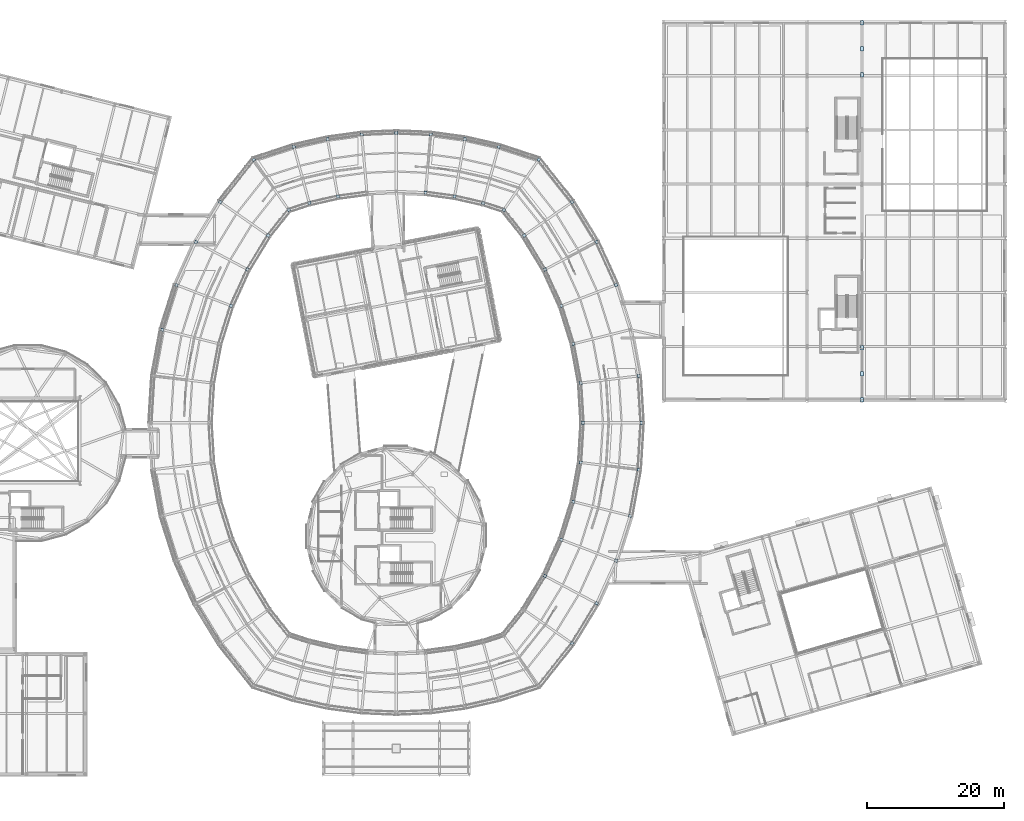
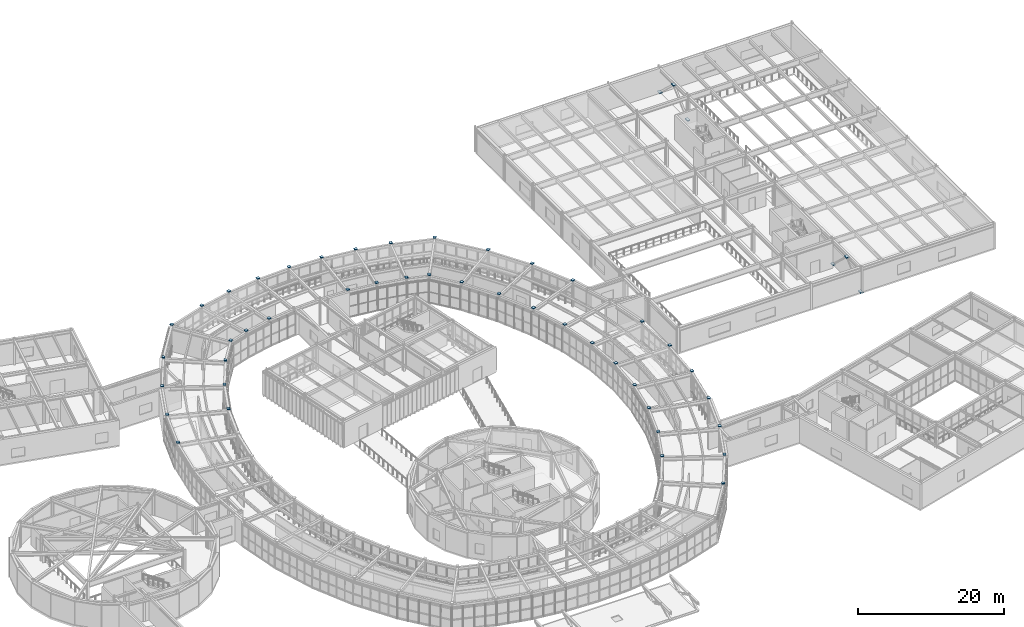
# One storey, part 73 of 103: 49 plates.
"""IFC4 building model written with IfcOpenShell, lengths in metres."""

from ifc_helpers import new_model, si_unit, direction, frame, origin, origin_2d, place, context, subcontext, project, spatial, rectangle, extrude, material, layer, layer_set, type_object, element, save


model = new_model("IFC4")

# Units and contexts
model_context = context("Model", 3, precision=1e-05, world=origin(), true_north=direction((0.0, 1.0)))
body_context = subcontext(model_context, "Body", "Model", "MODEL_VIEW")
ifc_project = project(units=[si_unit("LENGTHUNIT", "METRE"), si_unit("AREAUNIT", "SQUARE_METRE"), si_unit("VOLUMEUNIT", "CUBIC_METRE"), si_unit("PLANEANGLEUNIT", "RADIAN"), si_unit("MASSUNIT", "GRAM", prefix="KILO")], contexts=[model_context])

# Site, building, storey
site_placement = place(None, origin())
site = spatial("IfcSite", under=ifc_project, at=site_placement, CompositionType="ELEMENT")
building_placement = place(site_placement, origin())
building = spatial("IfcBuilding", under=site, at=building_placement, Name="Varnklinge Art Gallery", CompositionType="ELEMENT")
storey_placement = place(building_placement, frame((0.0, 0.0, 5.10009765625)))
storey = spatial("IfcBuildingStorey", under=building, at=storey_placement, Name="L01", CompositionType="ELEMENT", Elevation=5.10009765625)

# Plates
ifc_material = material(Name="Steel S355", Category="steel")
ifc_layer = layer(ifc_material, 0.159912109375)
ifc_layer_set = layer_set([ifc_layer], Name="Steel S355")
plate_type = type_object("IfcPlateType", Name="PLT-GP2", PredefinedType="USERDEFINED", material=ifc_layer_set)
for number, where, z_axis, x_axis, name in (
    (1, (101.14990234375, 22.8251953125, 4.31982421875), (0.0, 0.0, 1.0), (-0.820351542489, 0.571859551582, 0.0), "L01 Hollow Column End Cap Plate V2CO-02"),
    (2, (104.71630859375, 28.6689453125, 4.31982421875), (0.0, 0.0, 1.0), (-0.883683947469, 0.468084053333, 0.0), "L01 Hollow Column End Cap Plate V2CO-03"),
    (3, (97.189697265625, 32.655517578125, 4.31982421875), (0.0, 0.0, 1.0), (-0.883683947469, 0.468084053333, 0.0), "L01 Hollow Column End Cap Plate V2CI-03"),
    (4, (107.54638671875, 34.90283203125, 4.31982421875), (0.0, 0.0, 1.0), (-0.934017558691, 0.357227098715, 0.0), "L01 Hollow Column End Cap Plate V2CO-04"),
    (5, (99.59130859375, 37.9453125, 4.31982421875), (0.0, 0.0, 1.0), (-0.934017558691, 0.357227098715, 0.0), "L01 Hollow Column End Cap Plate V2CI-04"),
    (6, (109.598388671875, 41.43408203125, 4.31982421875), (0.0, 0.0, 1.0), (-0.970506473469, 0.241075060833, 0.0), "L01 Hollow Column End Cap Plate V2CO-05"),
    (7, (101.332763671875, 43.488037109375, 4.31982421875), (0.0, 0.0, 1.0), (-0.970506473469, 0.241075060833, 0.0), "L01 Hollow Column End Cap Plate V2CI-05"),
    (8, (110.842041015625, 48.16650390625, 4.31982421875), (0.0, 0.0, 1.0), (-0.992588631597, 0.121522872021, 0.0), "L01 Hollow Column End Cap Plate V2CO-06"),
    (9, (102.387939453125, 49.201171875, 4.31982421875), (0.0, 0.0, 1.0), (-0.992588631597, 0.121522872021, 0.0), "L01 Hollow Column End Cap Plate V2CI-06"),
    (10, (111.258544921875, 55.0, 4.31982421875), (0.0, 0.0, 1.0), (-1.0, 0.0, 0.0), "L01 Hollow Column End Cap Plate V2CO-07"),
    (11, (102.741455078125, 55.0, 4.31982421875), (0.0, 0.0, 1.0), (-1.0, 0.0, 0.0), "L01 Hollow Column End Cap Plate V2CI-07"),
    (12, (110.842041015625, 61.83349609375, 4.31982421875), (0.0, 0.0, 1.0), (-0.992588631597, -0.121522872021, 0.0), "L01 Hollow Column End Cap Plate V2CO-08"),
    (13, (102.387939453125, 60.798828125, 4.31982421875), (0.0, 0.0, 1.0), (-0.992588631597, -0.121522872021, 0.0), "L01 Hollow Column End Cap Plate V2CI-08"),
    (14, (101.332763671875, 66.511962890625, 4.31982421875), (0.0, 0.0, 1.0), (-0.970506473469, -0.241075060833, 0.0), "L01 Hollow Column End Cap Plate V2CI-09"),
    (15, (107.54638671875, 75.09716796875, 4.31982421875), (0.0, 0.0, 1.0), (-0.934017558691, -0.357227098715, 0.0), "L01 Hollow Column End Cap Plate V2CO-10"),
    (16, (99.59130859375, 72.0546875, 4.31982421875), (0.0, 0.0, 1.0), (-0.934017558691, -0.357227098715, 0.0), "L01 Hollow Column End Cap Plate V2CI-10"),
    (17, (104.71630859375, 81.3310546875, 4.31982421875), (0.0, 0.0, 1.0), (-0.883683947469, -0.468084053333, 0.0), "L01 Hollow Column End Cap Plate V2CO-11"),
    (18, (97.189697265625, 77.344482421875, 4.31982421875), (0.0, 0.0, 1.0), (-0.883683947469, -0.468084053333, 0.0), "L01 Hollow Column End Cap Plate V2CI-11"),
    (19, (101.14990234375, 87.1748046875, 4.31982421875), (0.0, 0.0, 1.0), (-0.820351542489, -0.571859551582, 0.0), "L01 Hollow Column End Cap Plate V2CO-12"),
    (20, (94.1630859375, 82.3037109375, 4.31982421875), (0.0, 0.0, 1.0), (-0.820351542489, -0.571859551582, 0.0), "L01 Hollow Column End Cap Plate V2CI-12"),
    (21, (96.27099609375, 93.35986328125, 4.31982421875), (0.0, 0.0, 1.0), (-0.570570241419, -0.821248804935, 0.0), "L01 Hollow Column End Cap Plate V2CO-13"),
    (22, (91.185791015625, 86.041015625, 4.31982421875), (0.0, 0.0, 1.0), (-0.570570241419, -0.821248804935, 0.0), "L01 Hollow Column End Cap Plate V2CI-13"),
    (23, (90.4296875, 95.2373046875, 4.31982421875), (0.0, 0.0, 1.0), (-0.265387847052, -0.964141737836, 0.0), "L01 Hollow Column End Cap Plate V2CO-14"),
    (24, (88.17138671875, 87.033203125, 4.31982421875), (0.0, 0.0, 1.0), (-0.265387847052, -0.964141737836, 0.0), "L01 Hollow Column End Cap Plate V2CI-14"),
    (25, (85.520263671875, 96.35498046875, 4.31982421875), (0.0, 0.0, 1.0), (-0.178115290264, -0.984009625651, 0.0), "L01 Hollow Column End Cap Plate V2CO-15"),
    (26, (84.00439453125, 87.981689453125, 4.31982421875), (0.0, 0.0, 1.0), (-0.178115290264, -0.984009625651, 0.0), "L01 Hollow Column End Cap Plate V2CI-15"),
    (27, (80.5302734375, 97.029296875, 4.31982421875), (0.0, 0.0, 1.0), (-0.089415810539, -0.995994383933, 0.0), "L01 Hollow Column End Cap Plate V2CO-16"),
    (28, (79.769287109375, 88.55419921875, 4.31982421875), (0.0, 0.0, 1.0), (-0.089415810539, -0.995994383933, 0.0), "L01 Hollow Column End Cap Plate V2CI-16"),
    (29, (75.5, 97.254638671875, 4.31982421875), (0.0, 0.0, 1.0), (0.0, -1.0, 0.0), "L01 Hollow Column End Cap Plate V2CO-17"),
    (30, (70.4697265625, 97.029296875, 4.31982421875), (0.0, 0.0, 1.0), (0.089415810539, -0.995994383933, 0.0), "L01 Hollow Column End Cap Plate V2CO-18"),
    (31, (65.479736328125, 96.35498046875, 4.31982421875), (0.0, 0.0, 1.0), (0.178115290264, -0.984009625651, 0.0), "L01 Hollow Column End Cap Plate V2CO-19"),
    (32, (66.99560546875, 87.981689453125, 4.31982421875), (0.0, 0.0, 1.0), (0.178115290264, -0.984009625651, 0.0), "L01 Hollow Column End Cap Plate V2CI-19"),
    (33, (60.5703125, 95.2373046875, 4.31982421875), (0.0, 0.0, 1.0), (0.265387847052, -0.964141737836, 0.0), "L01 Hollow Column End Cap Plate V2CO-20"),
    (34, (62.82861328125, 87.033203125, 4.31982421875), (0.0, 0.0, 1.0), (0.265387847052, -0.964141737836, 0.0), "L01 Hollow Column End Cap Plate V2CI-20"),
    (35, (54.72900390625, 93.35986328125, 4.31982421875), (0.0, 0.0, 1.0), (0.570570241419, -0.821248804935, 0.0), "L01 Hollow Column End Cap Plate V2CO-21"),
    (36, (59.814208984375, 86.041015625, 4.31982421875), (0.0, 0.0, 1.0), (0.570570241419, -0.821248804935, 0.0), "L01 Hollow Column End Cap Plate V2CI-21"),
    (37, (49.85009765625, 87.1748046875, 4.31982421875), (0.0, 0.0, 1.0), (0.820351542489, -0.571859551582, 0.0), "L01 Hollow Column End Cap Plate V2CO-22"),
    (38, (56.8369140625, 82.3037109375, 4.31982421875), (0.0, 0.0, 1.0), (0.820351542489, -0.571859551582, 0.0), "L01 Hollow Column End Cap Plate V2CI-22"),
    (39, (46.28369140625, 81.3310546875, 4.31982421875), (0.0, 0.0, 1.0), (0.883683947469, -0.468084053333, 0.0), "L01 Hollow Column End Cap Plate V2CO-23"),
    (40, (53.810302734375, 77.344482421875, 4.31982421875), (0.0, 0.0, 1.0), (0.883683947469, -0.468084053333, 0.0), "L01 Hollow Column End Cap Plate V2CI-23"),
    (41, (43.45361328125, 75.09716796875, 4.31982421875), (0.0, 0.0, 1.0), (0.934017558691, -0.357227098715, 0.0), "L01 Hollow Column End Cap Plate V2CO-24"),
    (42, (51.40869140625, 72.0546875, 4.31982421875), (0.0, 0.0, 1.0), (0.934017558691, -0.357227098715, 0.0), "L01 Hollow Column End Cap Plate V2CI-24"),
    (43, (41.401611328125, 68.56591796875, 4.31982421875), (0.0, 0.0, 1.0), (0.970506473469, -0.241075060833, 0.0), "L01 Hollow Column End Cap Plate V2CO-25"),
):
    element("IfcPlate", number, at=place(storey_placement, frame(where, z_axis=z_axis, x_axis=x_axis)), inside=storey, type_object=plate_type, Name=name, ObjectType="GUSSET PLATE", PredefinedType="USERDEFINED", context=body_context, shape_type="SweptSolid", body=[
        extrude(rectangle(XDim=0.43994140625, YDim=0.43994140625, at=origin_2d()), origin(), (0.0, 0.0, 1.0), 0.1201171875),
    ])
for number, where, z_axis, x_axis, name in (
    (44, (143.39990234375, 58.360107421875, -0.06005859375), (0.0, 0.0, 1.0), (0.0, 1.0, 0.0), "L01 Braced Frame Gusset Node Block V1E-B0-L"),
    (45, (143.39990234375, 65.93994140625, -0.06005859375), (0.0, 0.0, 1.0), (0.0, 1.0, 0.0), "L01 Braced Frame Gusset Node Block V1E-B0-R"),
    (46, (143.39990234375, 62.14990234375, 3.48974609375), (0.0, 0.0, 1.0), (0.0, 1.0, 0.0), "L01 Braced Frame Gusset Node Block V1E-B0-M"),
    (47, (143.39990234375, 105.760009765625, -0.06005859375), (0.0, 0.0, 1.0), (0.0, 1.0, 0.0), "L01 Braced Frame Gusset Node Block V1E-B6-L"),
    (48, (143.39990234375, 113.340087890625, -0.06005859375), (0.0, 0.0, 1.0), (0.0, 1.0, 0.0), "L01 Braced Frame Gusset Node Block V1E-B6-R"),
    (49, (143.39990234375, 109.550048828125, 3.48974609375), (0.0, 0.0, 1.0), (0.0, 1.0, 0.0), "L01 Braced Frame Gusset Node Block V1E-B6-M"),
):
    element("IfcPlate", number, at=place(storey_placement, frame(where, z_axis=z_axis, x_axis=x_axis)), inside=storey, type_object=plate_type, Name=name, ObjectType="GUSSET PLATE", PredefinedType="USERDEFINED", context=body_context, shape_type="SweptSolid", body=[
        extrude(rectangle(XDim=0.679931640625, YDim=0.43994140625, at=origin_2d()), origin(), (0.0, 0.0, 1.0), 0.159912109375),
    ])

save(model, "model.ifc")
